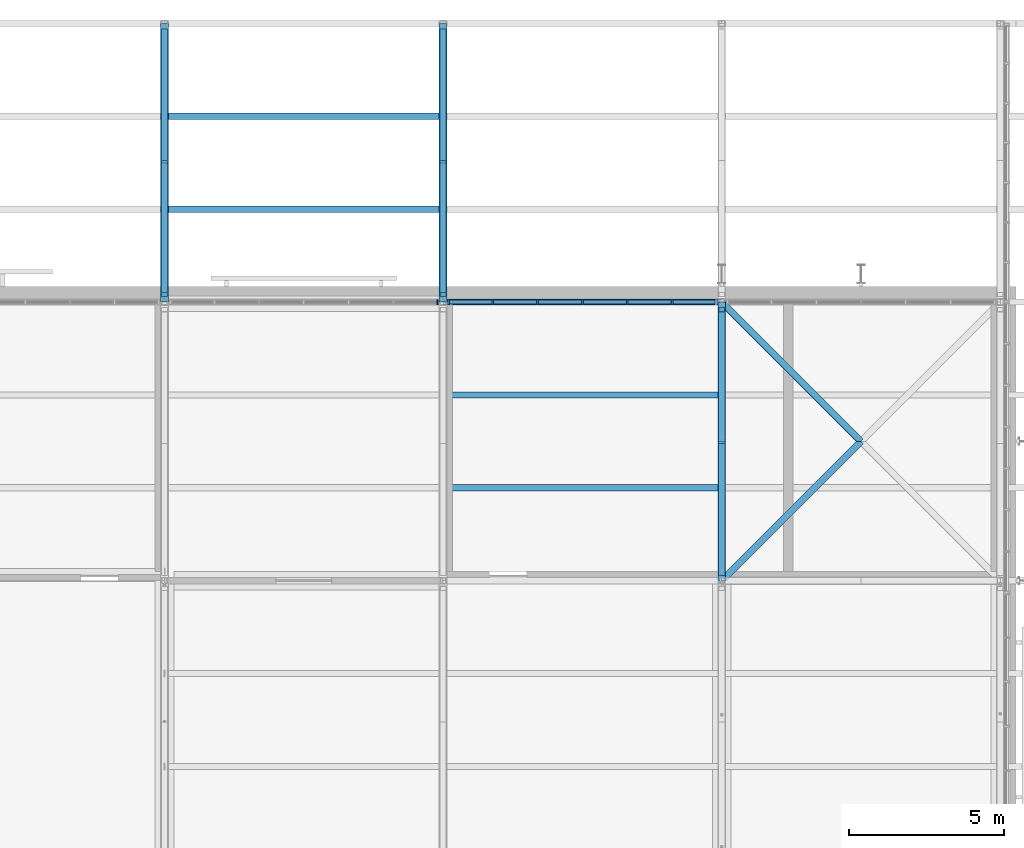
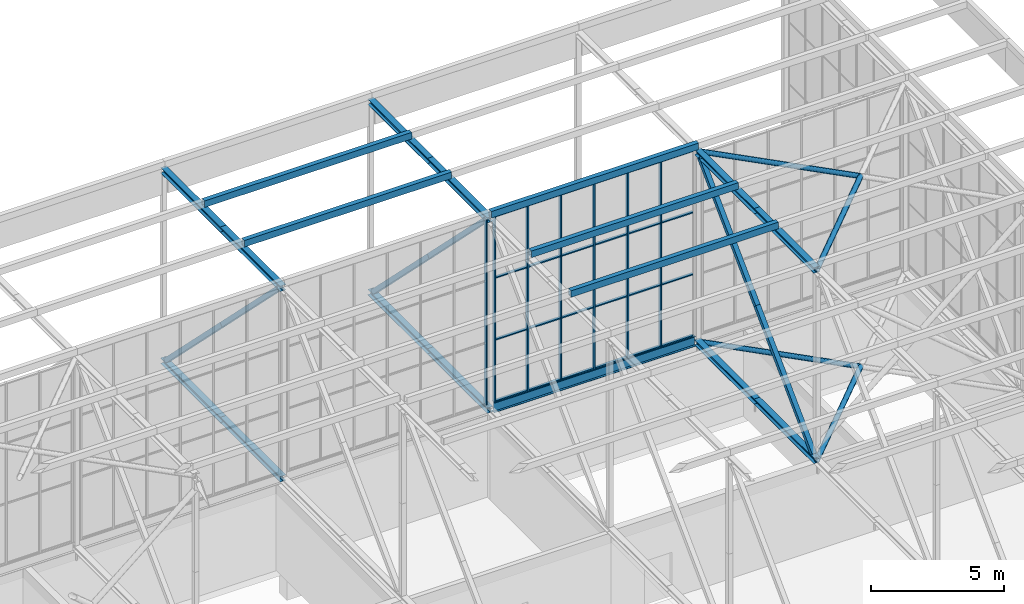
# One storey, part 132 of 646: 58 members, 1 beam, 2 elements without a shape of their own.
"""IFC4 building model written with IfcOpenShell, lengths in metres."""

from ifc_helpers import new_model, si_unit, direction, frame, origin, origin_2d, place, context, subcontext, project, spatial, rectangle, hollow_rectangle, hollow_circle, i_section, extrude, material, material_profile, profile_set, type_object, element, aggregate, save


model = new_model("IFC4")

# Units and contexts
model_context = context("Model", 3, precision=1e-05, world=origin(), true_north=direction((0.0, 1.0)))
body_context = subcontext(model_context, "Body", "Model", "MODEL_VIEW")
ifc_project = project(units=[si_unit("LENGTHUNIT", "METRE"), si_unit("AREAUNIT", "SQUARE_METRE"), si_unit("VOLUMEUNIT", "CUBIC_METRE"), si_unit("PLANEANGLEUNIT", "RADIAN"), si_unit("MASSUNIT", "GRAM", prefix="KILO")], contexts=[model_context])

# Site, building, storey
site_placement = place(None, origin())
site = spatial("IfcSite", under=ifc_project, at=site_placement, CompositionType="ELEMENT")
building_placement = place(site_placement, origin())
building = spatial("IfcBuilding", under=site, at=building_placement, Name="Silverbay Arena", CompositionType="ELEMENT")
storey_placement = place(building_placement, frame((0.0, 0.0, 33.5)))
storey = spatial("IfcBuildingStorey", under=building, at=storey_placement, Name="L05", CompositionType="ELEMENT", Elevation=33.5)

# Members
ifc_material_1 = material(Name="Steel S355", Category="steel")
ifc_material_profile_1 = material_profile(ifc_material_1, i_section(OverallWidth=0.254638671875, OverallDepth=0.254150390625, WebThickness=0.008544921875, FlangeThickness=0.01416015625, at=origin_2d()), Name="UC 254x254x73")
ifc_profile_set_1 = profile_set([ifc_material_profile_1], Name="Steel S355")
member_type_1 = type_object("IfcMemberType", Name="Long-span bottom chord UC 254x254x73", PredefinedType="CHORD", material=ifc_profile_set_1)
for number, where, z_axis, x_axis, name in (
    (1, (180.0, 144.0, 4.126953125), (0.0, 1.0, 0.0), (-1.0, 0.0, 0.0), "ROOF TRUSS 21 bottom chord 16a"),
    (2, (180.0, 148.5, 4.126953125), (0.0, 1.0, 0.0), (-1.0, 0.0, 0.0), "ROOF TRUSS 21 bottom chord 16b"),
):
    element("IfcMember", number, at=place(storey_placement, frame(where, z_axis=z_axis, x_axis=x_axis)), inside=storey, type_object=member_type_1, Name=name, PredefinedType="CHORD", context=body_context, shape_type="SweptSolid", body=[
        extrude(i_section(OverallWidth=0.254638671875, OverallDepth=0.254150390625, WebThickness=0.008544921875, FlangeThickness=0.01416015625, at=origin_2d()), origin(), (0.0, 0.0, 1.0), 4.5),
    ])
ifc_material_2 = material(Name="Steel S355", Category="steel")
ifc_material_profile_2 = material_profile(ifc_material_2, i_section(OverallWidth=0.254638671875, OverallDepth=0.254150390625, WebThickness=0.008544921875, FlangeThickness=0.01416015625, at=origin_2d()), Name="UC 254x254x73")
ifc_profile_set_2 = profile_set([ifc_material_profile_2], Name="Steel S355")
member_type_2 = type_object("IfcMemberType", Name="Long-span top chord UC 254x254x73", PredefinedType="CHORD", material=ifc_profile_set_2)
for number, where, z_axis, x_axis, name in (
    (3, (180.0, 144.0, 12.873046875), (0.0, 1.0, 0.0), (-1.0, 0.0, 0.0), "ROOF TRUSS 21 top chord 16a"),
    (4, (180.0, 148.5, 12.873046875), (0.0, 1.0, 0.0), (-1.0, 0.0, 0.0), "ROOF TRUSS 21 top chord 16b"),
):
    element("IfcMember", number, at=place(storey_placement, frame(where, z_axis=z_axis, x_axis=x_axis)), inside=storey, type_object=member_type_2, Name=name, PredefinedType="CHORD", context=body_context, shape_type="SweptSolid", body=[
        extrude(i_section(OverallWidth=0.254638671875, OverallDepth=0.254150390625, WebThickness=0.008544921875, FlangeThickness=0.01416015625, at=origin_2d()), origin(), (0.0, 0.0, 1.0), 4.5),
    ])
ifc_material_3 = material(Name="Steel S355", Category="steel")
ifc_material_profile_3 = material_profile(ifc_material_3, hollow_rectangle(XDim=0.199951171875, YDim=0.199951171875, WallThickness=0.008056640625, at=origin_2d()), Name="SHS 200x200x8")
ifc_profile_set_3 = profile_set([ifc_material_profile_3], Name="Steel S355")
member_type_3 = type_object("IfcMemberType", Name="Long-span truss diagonal SHS 200x200x8", PredefinedType="BRACE", material=ifc_profile_set_3)
for number, where, z_axis, x_axis, name in (
    (5, (180.0, 144.24560546875, 12.745849609375), (0.0, 0.70781724692, -0.706395600894), (-1.0, 0.0, 0.0), "ROOF TRUSS 21 diagonal 16a"),
    (6, (180.0, 148.5, 8.5), (0.0, 0.70781724692, -0.706395600894), (-1.0, 0.0, 0.0), "ROOF TRUSS 21 diagonal 16b"),
):
    element("IfcMember", number, at=place(storey_placement, frame(where, z_axis=z_axis, x_axis=x_axis)), inside=storey, type_object=member_type_3, Name=name, PredefinedType="BRACE", context=body_context, shape_type="SweptSolid", body=[
        extrude(hollow_rectangle(XDim=0.199951171875, YDim=0.199951171875, WallThickness=0.008056640625, at=origin_2d()), origin(), (0.0, 0.0, 1.0), 6.010498046875),
    ])
ifc_material_4 = material(Name="Steel S355", Category="steel")
ifc_material_profile_4 = material_profile(ifc_material_4, i_section(OverallWidth=0.254638671875, OverallDepth=0.254150390625, WebThickness=0.008544921875, FlangeThickness=0.01416015625, at=origin_2d()), Name="UC 254x254x73")
ifc_profile_set_4 = profile_set([ifc_material_profile_4], Name="Steel S355")
member_type_4 = type_object("IfcMemberType", Name="Medium-span bottom chord UC 254x254x73", PredefinedType="CHORD", material=ifc_profile_set_4)
for number, where, z_axis, x_axis, name in (
    (7, (189.0, 144.0, 4.126953125), (0.0, 1.0, 0.0), (-1.0, 0.0, 0.0), "ROOF TRUSS 22 bottom chord 16a"),
    (8, (189.0, 148.5, 4.126953125), (0.0, 1.0, 0.0), (-1.0, 0.0, 0.0), "ROOF TRUSS 22 bottom chord 16b"),
):
    element("IfcMember", number, at=place(storey_placement, frame(where, z_axis=z_axis, x_axis=x_axis)), inside=storey, type_object=member_type_4, Name=name, PredefinedType="CHORD", context=body_context, shape_type="SweptSolid", body=[
        extrude(i_section(OverallWidth=0.254638671875, OverallDepth=0.254150390625, WebThickness=0.008544921875, FlangeThickness=0.01416015625, at=origin_2d()), origin(), (0.0, 0.0, 1.0), 4.5),
    ])
ifc_material_5 = material(Name="Steel S355", Category="steel")
ifc_material_profile_5 = material_profile(ifc_material_5, i_section(OverallWidth=0.254638671875, OverallDepth=0.254150390625, WebThickness=0.008544921875, FlangeThickness=0.01416015625, at=origin_2d()), Name="UC 254x254x73")
ifc_profile_set_5 = profile_set([ifc_material_profile_5], Name="Steel S355")
member_type_5 = type_object("IfcMemberType", Name="Medium-span top chord UC 254x254x73", PredefinedType="CHORD", material=ifc_profile_set_5)
for number, where, z_axis, x_axis, name in (
    (9, (189.0, 144.0, 12.873046875), (0.0, 1.0, 0.0), (-1.0, 0.0, 0.0), "ROOF TRUSS 22 top chord 16a"),
    (10, (189.0, 148.5, 12.873046875), (0.0, 1.0, 0.0), (-1.0, 0.0, 0.0), "ROOF TRUSS 22 top chord 16b"),
):
    element("IfcMember", number, at=place(storey_placement, frame(where, z_axis=z_axis, x_axis=x_axis)), inside=storey, type_object=member_type_5, Name=name, PredefinedType="CHORD", context=body_context, shape_type="SweptSolid", body=[
        extrude(i_section(OverallWidth=0.254638671875, OverallDepth=0.254150390625, WebThickness=0.008544921875, FlangeThickness=0.01416015625, at=origin_2d()), origin(), (0.0, 0.0, 1.0), 4.5),
    ])
ifc_material_6 = material(Name="Steel S355", Category="steel")
ifc_material_profile_6 = material_profile(ifc_material_6, hollow_rectangle(XDim=0.199951171875, YDim=0.199951171875, WallThickness=0.008056640625, at=origin_2d()), Name="SHS 200x200x8")
ifc_profile_set_6 = profile_set([ifc_material_profile_6], Name="Steel S355")
member_type_6 = type_object("IfcMemberType", Name="Medium-span truss diagonal SHS 200x200x8", PredefinedType="BRACE", material=ifc_profile_set_6)
for number, where, z_axis, x_axis, name in (
    (11, (189.0, 144.24560546875, 12.745849609375), (0.0, 0.70781724692, -0.706395600894), (-1.0, 0.0, 0.0), "ROOF TRUSS 22 diagonal 16a"),
    (12, (189.0, 148.5, 8.5), (0.0, 0.70781724692, -0.706395600894), (-1.0, 0.0, 0.0), "ROOF TRUSS 22 diagonal 16b"),
):
    element("IfcMember", number, at=place(storey_placement, frame(where, z_axis=z_axis, x_axis=x_axis)), inside=storey, type_object=member_type_6, Name=name, PredefinedType="BRACE", context=body_context, shape_type="SweptSolid", body=[
        extrude(hollow_rectangle(XDim=0.199951171875, YDim=0.199951171875, WallThickness=0.008056640625, at=origin_2d()), origin(), (0.0, 0.0, 1.0), 6.010498046875),
    ])

# Curtain wall, member
ifc_material_7 = material(Name="Aluminium framed glazing", Category="aluminium")
curtain_wall_type = type_object("IfcCurtainWallType", Name="Curtain wall clerestory 8693 x 8540", PredefinedType="NOTDEFINED", material=ifc_material_7)
curtain_wall_1_placement = place(storey_placement, origin())
curtain_wall_1 = element("IfcCurtainWall", 13, at=curtain_wall_1_placement, inside=storey, type_object=curtain_wall_type, Name="ROOF CLERESTORY CURTAIN WALL north bay 15", PredefinedType="NOTDEFINED")
ifc_material_8 = material(Name="Aluminium", Category="aluminium")
ifc_material_profile_7 = material_profile(ifc_material_8, rectangle(XDim=0.159912109375, YDim=0.06005859375, at=origin_2d()), Name="Mullion 60 x 160")
ifc_profile_set_7 = profile_set([ifc_material_profile_7], Name="Aluminium")
member_type_7 = type_object("IfcMemberType", Name="Mullion 60 x 160", PredefinedType="MULLION", material=ifc_profile_set_7)
member_1_placement = place(storey_placement, frame((188.81640625, 144.0, 4.4599609375), z_axis=(0.0, 0.0, 1.0), x_axis=(0.0, 1.0, 0.0)))
member_1 = element("IfcMember", 14, at=member_1_placement, type_object=member_type_7, Name="CW55 mullion 7", PredefinedType="MULLION", context=body_context, shape_type="SweptSolid", body=[
    extrude(rectangle(XDim=0.159912109375, YDim=0.06005859375, at=origin_2d()), origin(), (0.0, 0.0, 1.0), 8.5400390625),
])
aggregate(curtain_wall_1, [member_1])

# Curtain wall, members
curtain_wall_2_placement = place(storey_placement, origin())
curtain_wall_2 = element("IfcCurtainWall", 15, at=curtain_wall_2_placement, inside=storey, type_object=curtain_wall_type, Name="ROOF CLERESTORY CURTAIN WALL north bay 16", PredefinedType="NOTDEFINED")
member_2_placement = place(storey_placement, frame((189.18359375, 144.0, 4.4599609375), z_axis=(0.0, 0.0, 1.0), x_axis=(0.0, 1.0, 0.0)))
member_2 = element("IfcMember", 16, at=member_2_placement, type_object=member_type_7, Name="CW55 mullion 1", PredefinedType="MULLION", context=body_context, shape_type="SweptSolid", body=[
    extrude(rectangle(XDim=0.159912109375, YDim=0.06005859375, at=origin_2d()), origin(), (0.0, 0.0, 1.0), 8.5400390625),
])
member_3_placement = place(storey_placement, frame((190.6025390625, 144.0, 4.4599609375), z_axis=(0.0, 0.0, 1.0), x_axis=(0.0, 1.0, 0.0)))
member_3 = element("IfcMember", 17, at=member_3_placement, type_object=member_type_7, Name="CW55 mullion 2", PredefinedType="MULLION", context=body_context, shape_type="SweptSolid", body=[
    extrude(rectangle(XDim=0.159912109375, YDim=0.06005859375, at=origin_2d()), origin(), (0.0, 0.0, 1.0), 8.5400390625),
])
member_4_placement = place(storey_placement, frame((192.05126953125, 144.0, 4.4599609375), z_axis=(0.0, 0.0, 1.0), x_axis=(0.0, 1.0, 0.0)))
member_4 = element("IfcMember", 18, at=member_4_placement, type_object=member_type_7, Name="CW55 mullion 3", PredefinedType="MULLION", context=body_context, shape_type="SweptSolid", body=[
    extrude(rectangle(XDim=0.159912109375, YDim=0.06005859375, at=origin_2d()), origin(), (0.0, 0.0, 1.0), 8.5400390625),
])
member_5_placement = place(storey_placement, frame((193.5, 144.0, 4.4599609375), z_axis=(0.0, 0.0, 1.0), x_axis=(0.0, 1.0, 0.0)))
member_5 = element("IfcMember", 19, at=member_5_placement, type_object=member_type_7, Name="CW55 mullion 4", PredefinedType="MULLION", context=body_context, shape_type="SweptSolid", body=[
    extrude(rectangle(XDim=0.159912109375, YDim=0.06005859375, at=origin_2d()), origin(), (0.0, 0.0, 1.0), 8.5400390625),
])
member_6_placement = place(storey_placement, frame((194.94873046875, 144.0, 4.4599609375), z_axis=(0.0, 0.0, 1.0), x_axis=(0.0, 1.0, 0.0)))
member_6 = element("IfcMember", 20, at=member_6_placement, type_object=member_type_7, Name="CW55 mullion 5", PredefinedType="MULLION", context=body_context, shape_type="SweptSolid", body=[
    extrude(rectangle(XDim=0.159912109375, YDim=0.06005859375, at=origin_2d()), origin(), (0.0, 0.0, 1.0), 8.5400390625),
])
member_7_placement = place(storey_placement, frame((196.3974609375, 144.0, 4.4599609375), z_axis=(0.0, 0.0, 1.0), x_axis=(0.0, 1.0, 0.0)))
member_7 = element("IfcMember", 21, at=member_7_placement, type_object=member_type_7, Name="CW55 mullion 6", PredefinedType="MULLION", context=body_context, shape_type="SweptSolid", body=[
    extrude(rectangle(XDim=0.159912109375, YDim=0.06005859375, at=origin_2d()), origin(), (0.0, 0.0, 1.0), 8.5400390625),
])

# Members
ifc_material_9 = material(Name="Steel S355", Category="steel")
ifc_material_profile_8 = material_profile(ifc_material_9, hollow_circle(Radius=0.109619140625, WallThickness=0.00634765625, at=origin_2d()), Name="CHS 219.1x6.3")
ifc_profile_set_8 = profile_set([ifc_material_profile_8], Name="Steel S355")
member_type_8 = type_object("IfcMemberType", Name="Plan bracing CHS 219.1x6.3", PredefinedType="BRACE", material=ifc_profile_set_8)
for number, where, z_axis, x_axis, name in (
    (22, (198.0, 135.0, 12.873046875), (0.707106781187, 0.707106781187, 0.0), (-0.707106781187, 0.707106781187, 0.0), "ROOF BRACING top 23-24 panel 15 Aa"),
    (23, (198.0, 144.0, 12.873046875), (0.707106781187, -0.707106781187, 0.0), (0.707106781187, 0.707106781187, 0.0), "ROOF BRACING top 23-24 panel 15 Ba"),
    (24, (198.0, 135.0, 4.126953125), (0.707106781187, 0.707106781187, 0.0), (-0.707106781187, 0.707106781187, 0.0), "ROOF BRACING bottom 23-24 panel 15 Aa"),
    (25, (198.0, 144.0, 4.126953125), (0.707106781187, -0.707106781187, 0.0), (0.707106781187, 0.707106781187, 0.0), "ROOF BRACING bottom 23-24 panel 15 Ba"),
):
    element("IfcMember", number, at=place(storey_placement, frame(where, z_axis=z_axis, x_axis=x_axis)), inside=storey, type_object=member_type_8, Name=name, PredefinedType="BRACE", context=body_context, shape_type="SweptSolid", body=[
        extrude(hollow_circle(Radius=0.109619140625, WallThickness=0.00634765625, at=origin_2d()), origin(), (0.0, 0.0, 1.0), 6.364013671875),
    ])
ifc_material_10 = material(Name="Steel S355", Category="steel")
ifc_material_profile_9 = material_profile(ifc_material_10, hollow_rectangle(XDim=0.199951171875, YDim=0.300048828125, WallThickness=0.00634765625, at=origin_2d()), Name="RHS 300x200x6.3")
ifc_profile_set_9 = profile_set([ifc_material_profile_9], Name="Steel S355")
member_type_9 = type_object("IfcMemberType", Name="Purlin RHS 300x200x6.3", PredefinedType="PURLIN", material=ifc_profile_set_9)
member_8_placement = place(storey_placement, frame((189.0, 138.0, 13.14990234375), z_axis=(1.0, 0.0, 0.0), x_axis=(0.0, 1.0, 0.0)))
element("IfcMember", 26, at=member_8_placement, inside=storey, type_object=member_type_9, Name="ROOF PURLIN 22-23 line 44", PredefinedType="PURLIN", context=body_context, shape_type="SweptSolid", body=[
    extrude(hollow_rectangle(XDim=0.199951171875, YDim=0.300048828125, WallThickness=0.00634765625, at=origin_2d()), origin(), (0.0, 0.0, 1.0), 9.0),
])
ifc_material_11 = material(Name="Steel S355", Category="steel")
ifc_material_profile_10 = material_profile(ifc_material_11, hollow_rectangle(XDim=0.199951171875, YDim=0.300048828125, WallThickness=0.008056640625, at=origin_2d()), Name="RHS 300x200x8")
ifc_profile_set_10 = profile_set([ifc_material_profile_10], Name="Steel S355")
member_type_10 = type_object("IfcMemberType", Name="Purlin RHS 300x200x8", PredefinedType="PURLIN", material=ifc_profile_set_10)
for number, where, z_axis, x_axis, name in (
    (27, (180.0, 147.0, 13.14990234375), (1.0, 0.0, 0.0), (0.0, 1.0, 0.0), "ROOF PURLIN 21-22 line 47"),
    (28, (180.0, 150.0, 13.14990234375), (1.0, 0.0, 0.0), (0.0, 1.0, 0.0), "ROOF PURLIN 21-22 line 48"),
    (29, (189.0, 141.0, 13.14990234375), (1.0, 0.0, 0.0), (0.0, 1.0, 0.0), "ROOF PURLIN 22-23 line 45"),
    (30, (189.0, 144.0, 13.14990234375), (1.0, 0.0, 0.0), (0.0, 1.0, 0.0), "ROOF PURLIN 22-23 line 46"),
):
    element("IfcMember", number, at=place(storey_placement, frame(where, z_axis=z_axis, x_axis=x_axis)), inside=storey, type_object=member_type_10, Name=name, PredefinedType="PURLIN", context=body_context, shape_type="SweptSolid", body=[
        extrude(hollow_rectangle(XDim=0.199951171875, YDim=0.300048828125, WallThickness=0.008056640625, at=origin_2d()), origin(), (0.0, 0.0, 1.0), 9.0),
    ])

# Beam
ifc_material_12 = material(Name="Steel S355", Category="steel")
ifc_material_profile_11 = material_profile(ifc_material_12, i_section(OverallWidth=0.19140625, OverallDepth=0.4599609375, WebThickness=0.010009765625, FlangeThickness=0.01611328125, at=origin_2d()), Name="UB 457x191x82")
ifc_profile_set_11 = profile_set([ifc_material_profile_11], Name="Steel S355")
beam_type = type_object("IfcBeamType", Name="Ring beam UB 457x191x82", PredefinedType="BEAM", material=ifc_profile_set_11)
beam_placement = place(storey_placement, frame((189.127197265625, 144.0, 4.22998046875), z_axis=(1.0, 0.0, 0.0), x_axis=(0.0, 1.0, 0.0)))
element("IfcBeam", 31, at=beam_placement, inside=storey, type_object=beam_type, Name="RING BEAM north facade 22-23", PredefinedType="BEAM", context=body_context, shape_type="SweptSolid", body=[
    extrude(i_section(OverallWidth=0.19140625, OverallDepth=0.4599609375, WebThickness=0.010009765625, FlangeThickness=0.01611328125, at=origin_2d()), origin(), (0.0, 0.0, 1.0), 8.74560546875),
])

# Members
ifc_material_13 = material(Name="Steel S355", Category="steel")
ifc_material_profile_12 = material_profile(ifc_material_13, i_section(OverallWidth=0.254638671875, OverallDepth=0.254150390625, WebThickness=0.008544921875, FlangeThickness=0.01416015625, at=origin_2d()), Name="UC 254x254x73")
ifc_profile_set_12 = profile_set([ifc_material_profile_12], Name="Steel S355")
member_type_11 = type_object("IfcMemberType", Name="Short-span bottom chord UC 254x254x73", PredefinedType="CHORD", material=ifc_profile_set_12)
for number, where, z_axis, x_axis, name in (
    (32, (198.0, 135.0, 4.126953125), (0.0, 1.0, 0.0), (-1.0, 0.0, 0.0), "ROOF TRUSS 23 bottom chord 15a"),
    (33, (198.0, 139.5, 4.126953125), (0.0, 1.0, 0.0), (-1.0, 0.0, 0.0), "ROOF TRUSS 23 bottom chord 15b"),
):
    element("IfcMember", number, at=place(storey_placement, frame(where, z_axis=z_axis, x_axis=x_axis)), inside=storey, type_object=member_type_11, Name=name, PredefinedType="CHORD", context=body_context, shape_type="SweptSolid", body=[
        extrude(i_section(OverallWidth=0.254638671875, OverallDepth=0.254150390625, WebThickness=0.008544921875, FlangeThickness=0.01416015625, at=origin_2d()), origin(), (0.0, 0.0, 1.0), 4.5),
    ])
ifc_material_14 = material(Name="Steel S355", Category="steel")
ifc_material_profile_13 = material_profile(ifc_material_14, i_section(OverallWidth=0.254638671875, OverallDepth=0.254150390625, WebThickness=0.008544921875, FlangeThickness=0.01416015625, at=origin_2d()), Name="UC 254x254x73")
ifc_profile_set_13 = profile_set([ifc_material_profile_13], Name="Steel S355")
member_type_12 = type_object("IfcMemberType", Name="Short-span top chord UC 254x254x73", PredefinedType="CHORD", material=ifc_profile_set_13)
for number, where, z_axis, x_axis, name in (
    (34, (198.0, 135.0, 12.873046875), (0.0, 1.0, 0.0), (-1.0, 0.0, 0.0), "ROOF TRUSS 23 top chord 15a"),
    (35, (198.0, 139.5, 12.873046875), (0.0, 1.0, 0.0), (-1.0, 0.0, 0.0), "ROOF TRUSS 23 top chord 15b"),
):
    element("IfcMember", number, at=place(storey_placement, frame(where, z_axis=z_axis, x_axis=x_axis)), inside=storey, type_object=member_type_12, Name=name, PredefinedType="CHORD", context=body_context, shape_type="SweptSolid", body=[
        extrude(i_section(OverallWidth=0.254638671875, OverallDepth=0.254150390625, WebThickness=0.008544921875, FlangeThickness=0.01416015625, at=origin_2d()), origin(), (0.0, 0.0, 1.0), 4.5),
    ])
ifc_material_15 = material(Name="Steel S355", Category="steel")
ifc_material_profile_14 = material_profile(ifc_material_15, hollow_rectangle(XDim=0.199951171875, YDim=0.199951171875, WallThickness=0.008056640625, at=origin_2d()), Name="SHS 200x200x8")
ifc_profile_set_14 = profile_set([ifc_material_profile_14], Name="Steel S355")
member_type_13 = type_object("IfcMemberType", Name="Short-span truss diagonal SHS 200x200x8", PredefinedType="BRACE", material=ifc_profile_set_14)
for number, where, z_axis, x_axis, name in (
    (36, (198.0, 143.75439453125, 12.745849609375), (0.0, -0.70781724692, -0.706395600894), (1.0, 0.0, 0.0), "ROOF TRUSS 23 diagonal 15a"),
    (37, (198.0, 139.5, 8.5), (0.0, -0.70781724692, -0.706395600894), (1.0, 0.0, 0.0), "ROOF TRUSS 23 diagonal 15b"),
):
    element("IfcMember", number, at=place(storey_placement, frame(where, z_axis=z_axis, x_axis=x_axis)), inside=storey, type_object=member_type_13, Name=name, PredefinedType="BRACE", context=body_context, shape_type="SweptSolid", body=[
        extrude(hollow_rectangle(XDim=0.199951171875, YDim=0.199951171875, WallThickness=0.008056640625, at=origin_2d()), origin(), (0.0, 0.0, 1.0), 6.010498046875),
    ])

# Member
ifc_material_16 = material(Name="Aluminium", Category="aluminium")
ifc_material_profile_15 = material_profile(ifc_material_16, rectangle(XDim=0.1201171875, YDim=0.050048828125, at=origin_2d()), Name="Transom 50 x 120")
ifc_profile_set_15 = profile_set([ifc_material_profile_15], Name="Aluminium")
member_type_14 = type_object("IfcMemberType", Name="Transom 50 x 120", PredefinedType="USERDEFINED", material=ifc_profile_set_15)
member_9_placement = place(storey_placement, frame((189.213623046875, 144.0, 4.485107421875), z_axis=(1.0, 0.0, 0.0), x_axis=(0.0, 1.0, 0.0)))
member_9 = element("IfcMember", 38, at=member_9_placement, type_object=member_type_14, Name="CW55 transom 1.1", ObjectType="TRANSOM", PredefinedType="USERDEFINED", context=body_context, shape_type="SweptSolid", body=[
    extrude(rectangle(XDim=0.1201171875, YDim=0.050048828125, at=origin_2d()), origin(), (0.0, 0.0, 1.0), 1.35888671875),
])

member_10_placement = place(storey_placement, frame((189.213623046875, 144.0, 7.306640625), z_axis=(1.0, 0.0, 0.0), x_axis=(0.0, 1.0, 0.0)))
member_10 = element("IfcMember", 39, at=member_10_placement, type_object=member_type_14, Name="CW55 transom 1.2", ObjectType="TRANSOM", PredefinedType="USERDEFINED", context=body_context, shape_type="SweptSolid", body=[
    extrude(rectangle(XDim=0.1201171875, YDim=0.050048828125, at=origin_2d()), origin(), (0.0, 0.0, 1.0), 1.35888671875),
])

member_11_placement = place(storey_placement, frame((189.213623046875, 144.0, 10.1533203125), z_axis=(1.0, 0.0, 0.0), x_axis=(0.0, 1.0, 0.0)))
member_11 = element("IfcMember", 40, at=member_11_placement, type_object=member_type_14, Name="CW55 transom 1.3", ObjectType="TRANSOM", PredefinedType="USERDEFINED", context=body_context, shape_type="SweptSolid", body=[
    extrude(rectangle(XDim=0.1201171875, YDim=0.050048828125, at=origin_2d()), origin(), (0.0, 0.0, 1.0), 1.35888671875),
])

member_12_placement = place(storey_placement, frame((189.213623046875, 144.0, 12.97509765625), z_axis=(1.0, 0.0, 0.0), x_axis=(0.0, 1.0, 0.0)))
member_12 = element("IfcMember", 41, at=member_12_placement, type_object=member_type_14, Name="CW55 transom 1.4", ObjectType="TRANSOM", PredefinedType="USERDEFINED", context=body_context, shape_type="SweptSolid", body=[
    extrude(rectangle(XDim=0.1201171875, YDim=0.050048828125, at=origin_2d()), origin(), (0.0, 0.0, 1.0), 1.35888671875),
])

member_13_placement = place(storey_placement, frame((190.632568359375, 144.0, 4.485107421875), z_axis=(1.0, 0.0, 0.0), x_axis=(0.0, 1.0, 0.0)))
member_13 = element("IfcMember", 42, at=member_13_placement, type_object=member_type_14, Name="CW55 transom 2.1", ObjectType="TRANSOM", PredefinedType="USERDEFINED", context=body_context, shape_type="SweptSolid", body=[
    extrude(rectangle(XDim=0.1201171875, YDim=0.050048828125, at=origin_2d()), origin(), (0.0, 0.0, 1.0), 1.388671875),
])

member_14_placement = place(storey_placement, frame((190.632568359375, 144.0, 7.306640625), z_axis=(1.0, 0.0, 0.0), x_axis=(0.0, 1.0, 0.0)))
member_14 = element("IfcMember", 43, at=member_14_placement, type_object=member_type_14, Name="CW55 transom 2.2", ObjectType="TRANSOM", PredefinedType="USERDEFINED", context=body_context, shape_type="SweptSolid", body=[
    extrude(rectangle(XDim=0.1201171875, YDim=0.050048828125, at=origin_2d()), origin(), (0.0, 0.0, 1.0), 1.388671875),
])

member_15_placement = place(storey_placement, frame((190.632568359375, 144.0, 10.1533203125), z_axis=(1.0, 0.0, 0.0), x_axis=(0.0, 1.0, 0.0)))
member_15 = element("IfcMember", 44, at=member_15_placement, type_object=member_type_14, Name="CW55 transom 2.3", ObjectType="TRANSOM", PredefinedType="USERDEFINED", context=body_context, shape_type="SweptSolid", body=[
    extrude(rectangle(XDim=0.1201171875, YDim=0.050048828125, at=origin_2d()), origin(), (0.0, 0.0, 1.0), 1.388671875),
])

member_16_placement = place(storey_placement, frame((190.632568359375, 144.0, 12.97509765625), z_axis=(1.0, 0.0, 0.0), x_axis=(0.0, 1.0, 0.0)))
member_16 = element("IfcMember", 45, at=member_16_placement, type_object=member_type_14, Name="CW55 transom 2.4", ObjectType="TRANSOM", PredefinedType="USERDEFINED", context=body_context, shape_type="SweptSolid", body=[
    extrude(rectangle(XDim=0.1201171875, YDim=0.050048828125, at=origin_2d()), origin(), (0.0, 0.0, 1.0), 1.388671875),
])

member_17_placement = place(storey_placement, frame((192.081298828125, 144.0, 4.485107421875), z_axis=(1.0, 0.0, 0.0), x_axis=(0.0, 1.0, 0.0)))
member_17 = element("IfcMember", 46, at=member_17_placement, type_object=member_type_14, Name="CW55 transom 3.1", ObjectType="TRANSOM", PredefinedType="USERDEFINED", context=body_context, shape_type="SweptSolid", body=[
    extrude(rectangle(XDim=0.1201171875, YDim=0.050048828125, at=origin_2d()), origin(), (0.0, 0.0, 1.0), 1.388671875),
])

member_18_placement = place(storey_placement, frame((192.081298828125, 144.0, 7.306640625), z_axis=(1.0, 0.0, 0.0), x_axis=(0.0, 1.0, 0.0)))
member_18 = element("IfcMember", 47, at=member_18_placement, type_object=member_type_14, Name="CW55 transom 3.2", ObjectType="TRANSOM", PredefinedType="USERDEFINED", context=body_context, shape_type="SweptSolid", body=[
    extrude(rectangle(XDim=0.1201171875, YDim=0.050048828125, at=origin_2d()), origin(), (0.0, 0.0, 1.0), 1.388671875),
])

member_19_placement = place(storey_placement, frame((192.081298828125, 144.0, 10.1533203125), z_axis=(1.0, 0.0, 0.0), x_axis=(0.0, 1.0, 0.0)))
member_19 = element("IfcMember", 48, at=member_19_placement, type_object=member_type_14, Name="CW55 transom 3.3", ObjectType="TRANSOM", PredefinedType="USERDEFINED", context=body_context, shape_type="SweptSolid", body=[
    extrude(rectangle(XDim=0.1201171875, YDim=0.050048828125, at=origin_2d()), origin(), (0.0, 0.0, 1.0), 1.388671875),
])

member_20_placement = place(storey_placement, frame((192.081298828125, 144.0, 12.97509765625), z_axis=(1.0, 0.0, 0.0), x_axis=(0.0, 1.0, 0.0)))
member_20 = element("IfcMember", 49, at=member_20_placement, type_object=member_type_14, Name="CW55 transom 3.4", ObjectType="TRANSOM", PredefinedType="USERDEFINED", context=body_context, shape_type="SweptSolid", body=[
    extrude(rectangle(XDim=0.1201171875, YDim=0.050048828125, at=origin_2d()), origin(), (0.0, 0.0, 1.0), 1.388671875),
])

member_21_placement = place(storey_placement, frame((193.530029296875, 144.0, 4.485107421875), z_axis=(1.0, 0.0, 0.0), x_axis=(0.0, 1.0, 0.0)))
member_21 = element("IfcMember", 50, at=member_21_placement, type_object=member_type_14, Name="CW55 transom 4.1", ObjectType="TRANSOM", PredefinedType="USERDEFINED", context=body_context, shape_type="SweptSolid", body=[
    extrude(rectangle(XDim=0.1201171875, YDim=0.050048828125, at=origin_2d()), origin(), (0.0, 0.0, 1.0), 1.388671875),
])

member_22_placement = place(storey_placement, frame((193.530029296875, 144.0, 7.306640625), z_axis=(1.0, 0.0, 0.0), x_axis=(0.0, 1.0, 0.0)))
member_22 = element("IfcMember", 51, at=member_22_placement, type_object=member_type_14, Name="CW55 transom 4.2", ObjectType="TRANSOM", PredefinedType="USERDEFINED", context=body_context, shape_type="SweptSolid", body=[
    extrude(rectangle(XDim=0.1201171875, YDim=0.050048828125, at=origin_2d()), origin(), (0.0, 0.0, 1.0), 1.388671875),
])

member_23_placement = place(storey_placement, frame((193.530029296875, 144.0, 10.1533203125), z_axis=(1.0, 0.0, 0.0), x_axis=(0.0, 1.0, 0.0)))
member_23 = element("IfcMember", 52, at=member_23_placement, type_object=member_type_14, Name="CW55 transom 4.3", ObjectType="TRANSOM", PredefinedType="USERDEFINED", context=body_context, shape_type="SweptSolid", body=[
    extrude(rectangle(XDim=0.1201171875, YDim=0.050048828125, at=origin_2d()), origin(), (0.0, 0.0, 1.0), 1.388671875),
])

member_24_placement = place(storey_placement, frame((193.530029296875, 144.0, 12.97509765625), z_axis=(1.0, 0.0, 0.0), x_axis=(0.0, 1.0, 0.0)))
member_24 = element("IfcMember", 53, at=member_24_placement, type_object=member_type_14, Name="CW55 transom 4.4", ObjectType="TRANSOM", PredefinedType="USERDEFINED", context=body_context, shape_type="SweptSolid", body=[
    extrude(rectangle(XDim=0.1201171875, YDim=0.050048828125, at=origin_2d()), origin(), (0.0, 0.0, 1.0), 1.388671875),
])

member_25_placement = place(storey_placement, frame((194.978759765625, 144.0, 4.485107421875), z_axis=(1.0, 0.0, 0.0), x_axis=(0.0, 1.0, 0.0)))
member_25 = element("IfcMember", 54, at=member_25_placement, type_object=member_type_14, Name="CW55 transom 5.1", ObjectType="TRANSOM", PredefinedType="USERDEFINED", context=body_context, shape_type="SweptSolid", body=[
    extrude(rectangle(XDim=0.1201171875, YDim=0.050048828125, at=origin_2d()), origin(), (0.0, 0.0, 1.0), 1.388671875),
])

member_26_placement = place(storey_placement, frame((194.978759765625, 144.0, 7.306640625), z_axis=(1.0, 0.0, 0.0), x_axis=(0.0, 1.0, 0.0)))
member_26 = element("IfcMember", 55, at=member_26_placement, type_object=member_type_14, Name="CW55 transom 5.2", ObjectType="TRANSOM", PredefinedType="USERDEFINED", context=body_context, shape_type="SweptSolid", body=[
    extrude(rectangle(XDim=0.1201171875, YDim=0.050048828125, at=origin_2d()), origin(), (0.0, 0.0, 1.0), 1.388671875),
])

member_27_placement = place(storey_placement, frame((194.978759765625, 144.0, 10.1533203125), z_axis=(1.0, 0.0, 0.0), x_axis=(0.0, 1.0, 0.0)))
member_27 = element("IfcMember", 56, at=member_27_placement, type_object=member_type_14, Name="CW55 transom 5.3", ObjectType="TRANSOM", PredefinedType="USERDEFINED", context=body_context, shape_type="SweptSolid", body=[
    extrude(rectangle(XDim=0.1201171875, YDim=0.050048828125, at=origin_2d()), origin(), (0.0, 0.0, 1.0), 1.388671875),
])

member_28_placement = place(storey_placement, frame((194.978759765625, 144.0, 12.97509765625), z_axis=(1.0, 0.0, 0.0), x_axis=(0.0, 1.0, 0.0)))
member_28 = element("IfcMember", 57, at=member_28_placement, type_object=member_type_14, Name="CW55 transom 5.4", ObjectType="TRANSOM", PredefinedType="USERDEFINED", context=body_context, shape_type="SweptSolid", body=[
    extrude(rectangle(XDim=0.1201171875, YDim=0.050048828125, at=origin_2d()), origin(), (0.0, 0.0, 1.0), 1.388671875),
])

member_29_placement = place(storey_placement, frame((196.427490234375, 144.0, 4.485107421875), z_axis=(1.0, 0.0, 0.0), x_axis=(0.0, 1.0, 0.0)))
member_29 = element("IfcMember", 58, at=member_29_placement, type_object=member_type_14, Name="CW55 transom 6.1", ObjectType="TRANSOM", PredefinedType="USERDEFINED", context=body_context, shape_type="SweptSolid", body=[
    extrude(rectangle(XDim=0.1201171875, YDim=0.050048828125, at=origin_2d()), origin(), (0.0, 0.0, 1.0), 1.35888671875),
])

member_30_placement = place(storey_placement, frame((196.427490234375, 144.0, 7.306640625), z_axis=(1.0, 0.0, 0.0), x_axis=(0.0, 1.0, 0.0)))
member_30 = element("IfcMember", 59, at=member_30_placement, type_object=member_type_14, Name="CW55 transom 6.2", ObjectType="TRANSOM", PredefinedType="USERDEFINED", context=body_context, shape_type="SweptSolid", body=[
    extrude(rectangle(XDim=0.1201171875, YDim=0.050048828125, at=origin_2d()), origin(), (0.0, 0.0, 1.0), 1.35888671875),
])

member_31_placement = place(storey_placement, frame((196.427490234375, 144.0, 10.1533203125), z_axis=(1.0, 0.0, 0.0), x_axis=(0.0, 1.0, 0.0)))
member_31 = element("IfcMember", 60, at=member_31_placement, type_object=member_type_14, Name="CW55 transom 6.3", ObjectType="TRANSOM", PredefinedType="USERDEFINED", context=body_context, shape_type="SweptSolid", body=[
    extrude(rectangle(XDim=0.1201171875, YDim=0.050048828125, at=origin_2d()), origin(), (0.0, 0.0, 1.0), 1.35888671875),
])

member_32_placement = place(storey_placement, frame((196.427490234375, 144.0, 12.97509765625), z_axis=(1.0, 0.0, 0.0), x_axis=(0.0, 1.0, 0.0)))
member_32 = element("IfcMember", 61, at=member_32_placement, type_object=member_type_14, Name="CW55 transom 6.4", ObjectType="TRANSOM", PredefinedType="USERDEFINED", context=body_context, shape_type="SweptSolid", body=[
    extrude(rectangle(XDim=0.1201171875, YDim=0.050048828125, at=origin_2d()), origin(), (0.0, 0.0, 1.0), 1.35888671875),
])

aggregate(curtain_wall_2, [member_2, member_3, member_4, member_5, member_6, member_7, member_9, member_10, member_11, member_12, member_13, member_14, member_15, member_16, member_17, member_18, member_19, member_20, member_21, member_22, member_23, member_24, member_25, member_26, member_27, member_28, member_29, member_30, member_31, member_32])

save(model, "model.ifc")
